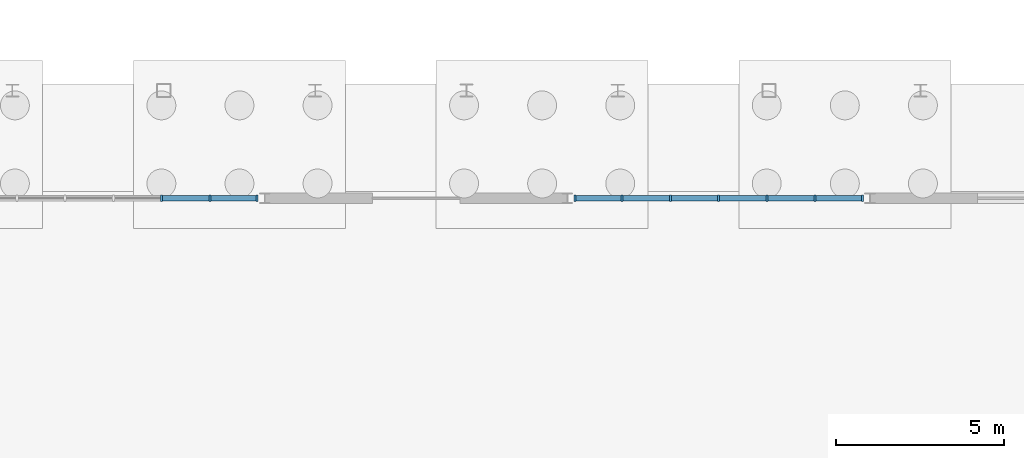
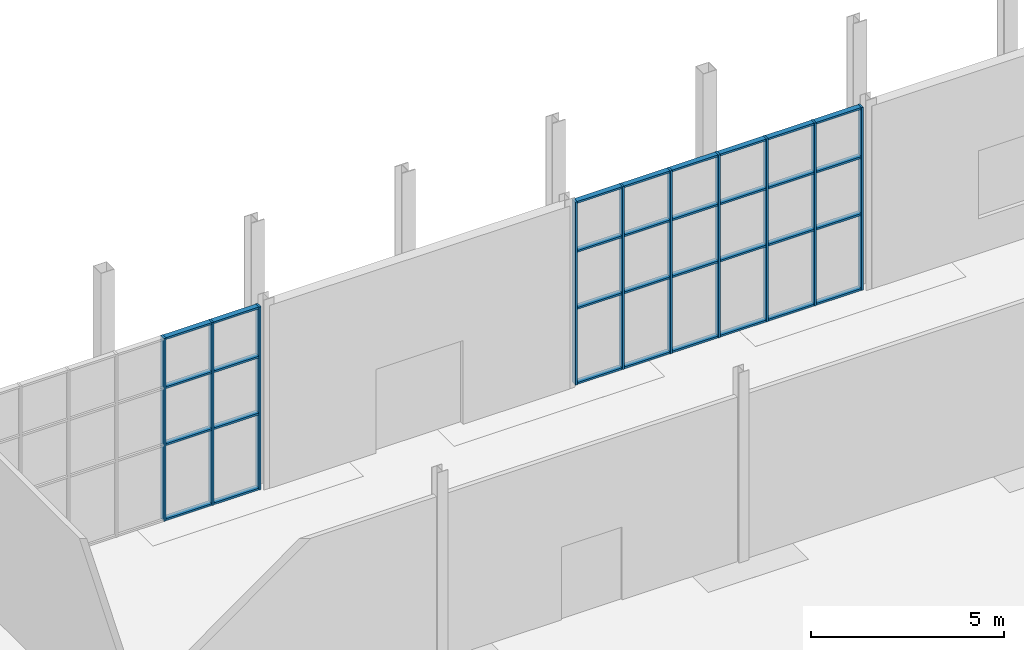
# One storey, part 61 of 131: 42 members, 2 elements without a shape of their own.
"""IFC4 building model written with IfcOpenShell, lengths in metres."""

from ifc_helpers import new_model, si_unit, direction, frame, origin, origin_2d, place, context, subcontext, project, spatial, rectangle, extrude, material, layer, layer_set, material_profile, profile_set, type_object, element, aggregate, save


model = new_model("IFC4")

# Units and contexts
model_context = context("Model", 3, precision=1e-05, world=origin(), true_north=direction((0.0, 1.0)))
body_context = subcontext(model_context, "Body", "Model", "MODEL_VIEW")
ifc_project = project(units=[si_unit("LENGTHUNIT", "METRE"), si_unit("AREAUNIT", "SQUARE_METRE"), si_unit("VOLUMEUNIT", "CUBIC_METRE"), si_unit("PLANEANGLEUNIT", "RADIAN"), si_unit("MASSUNIT", "GRAM", prefix="KILO")], contexts=[model_context])

# Site, building, storey
site_placement = place(None, origin())
site = spatial("IfcSite", under=ifc_project, at=site_placement, CompositionType="ELEMENT")
building_placement = place(site_placement, origin())
building = spatial("IfcBuilding", under=site, at=building_placement, Name="Cazmaro Siding Exhibition Halls", CompositionType="ELEMENT")
storey_placement = place(building_placement, origin())
storey = spatial("IfcBuildingStorey", under=building, at=storey_placement, Name="L00", CompositionType="ELEMENT", Elevation=0.0)

# Curtain wall, members
ifc_material_1 = material(Name="Anodized Bronze Aluminum and Solar-Control Low-E Glazing", Category="aluminium")
ifc_layer = layer(ifc_material_1, 0.179931640625)
ifc_layer_set = layer_set([ifc_layer], Name="Anodized Bronze Aluminum and Solar-Control Low-E Glazing")
curtain_wall_type = type_object("IfcCurtainWallType", Name="CWS-01", PredefinedType="USERDEFINED", material=ifc_layer_set)
curtain_wall_1_placement = place(storey_placement, origin())
curtain_wall_1 = element("IfcCurtainWall", 1, at=curtain_wall_1_placement, inside=storey, type_object=curtain_wall_type, Name="Glazed Curtain Wall CWS-01 CW-022", ObjectType="GLAZED CURTAIN WALL", PredefinedType="USERDEFINED")
ifc_material_2 = material(Name="Anodized Bronze Extruded Aluminum", Category="aluminium")
ifc_material_profile_1 = material_profile(ifc_material_2, rectangle(XDim=0.179931640625, YDim=0.06005859375, at=origin_2d()), Name="CWM-01")
ifc_profile_set_1 = profile_set([ifc_material_profile_1], Name="Anodized Bronze Extruded Aluminum")
member_type_1 = type_object("IfcMemberType", Name="CWM-01", PredefinedType="MULLION", material=ifc_profile_set_1)
member_1_placement = place(storey_placement, frame((101.77294921875, 120.800048828125, 0.0), z_axis=(0.0, 0.0, 1.0), x_axis=(0.0, -1.0, 0.0)))
member_1 = element("IfcMember", 2, at=member_1_placement, type_object=member_type_1, Name="CWS-01 mullion 1", PredefinedType="MULLION", context=body_context, shape_type="SweptSolid", body=[
    extrude(rectangle(XDim=0.179931640625, YDim=0.06005859375, at=origin_2d()), origin(), (0.0, 0.0, 1.0), 5.780029296875),
])
member_2_placement = place(storey_placement, frame((100.36865234375, 120.800048828125, 0.0), z_axis=(0.0, 0.0, 1.0), x_axis=(0.0, -1.0, 0.0)))
member_2 = element("IfcMember", 3, at=member_2_placement, type_object=member_type_1, Name="CWS-01 mullion 2", PredefinedType="MULLION", context=body_context, shape_type="SweptSolid", body=[
    extrude(rectangle(XDim=0.179931640625, YDim=0.06005859375, at=origin_2d()), origin(), (0.0, 0.0, 1.0), 5.780029296875),
])
member_3_placement = place(storey_placement, frame((98.934326171875, 120.800048828125, 0.0), z_axis=(0.0, 0.0, 1.0), x_axis=(0.0, -1.0, 0.0)))
member_3 = element("IfcMember", 4, at=member_3_placement, type_object=member_type_1, Name="CWS-01 mullion 3", PredefinedType="MULLION", context=body_context, shape_type="SweptSolid", body=[
    extrude(rectangle(XDim=0.179931640625, YDim=0.06005859375, at=origin_2d()), origin(), (0.0, 0.0, 1.0), 5.780029296875),
])

curtain_wall_2_placement = place(storey_placement, origin())
curtain_wall_2 = element("IfcCurtainWall", 5, at=curtain_wall_2_placement, inside=storey, type_object=curtain_wall_type, Name="Glazed Curtain Wall CWS-01 CW-030", ObjectType="GLAZED CURTAIN WALL", PredefinedType="USERDEFINED")
member_4_placement = place(storey_placement, frame((119.77294921875, 120.800048828125, 0.0), z_axis=(0.0, 0.0, 1.0), x_axis=(0.0, -1.0, 0.0)))
member_4 = element("IfcMember", 6, at=member_4_placement, type_object=member_type_1, Name="CWS-01 mullion 1", PredefinedType="MULLION", context=body_context, shape_type="SweptSolid", body=[
    extrude(rectangle(XDim=0.179931640625, YDim=0.06005859375, at=origin_2d()), origin(), (0.0, 0.0, 1.0), 5.780029296875),
])
member_5_placement = place(storey_placement, frame((118.36865234375, 120.800048828125, 0.0), z_axis=(0.0, 0.0, 1.0), x_axis=(0.0, -1.0, 0.0)))
member_5 = element("IfcMember", 7, at=member_5_placement, type_object=member_type_1, Name="CWS-01 mullion 2", PredefinedType="MULLION", context=body_context, shape_type="SweptSolid", body=[
    extrude(rectangle(XDim=0.179931640625, YDim=0.06005859375, at=origin_2d()), origin(), (0.0, 0.0, 1.0), 5.780029296875),
])
member_6_placement = place(storey_placement, frame((116.934326171875, 120.800048828125, 0.0), z_axis=(0.0, 0.0, 1.0), x_axis=(0.0, -1.0, 0.0)))
member_6 = element("IfcMember", 8, at=member_6_placement, type_object=member_type_1, Name="CWS-01 mullion 3", PredefinedType="MULLION", context=body_context, shape_type="SweptSolid", body=[
    extrude(rectangle(XDim=0.179931640625, YDim=0.06005859375, at=origin_2d()), origin(), (0.0, 0.0, 1.0), 5.780029296875),
])
member_7_placement = place(storey_placement, frame((115.5, 120.800048828125, 0.0), z_axis=(0.0, 0.0, 1.0), x_axis=(0.0, -1.0, 0.0)))
member_7 = element("IfcMember", 9, at=member_7_placement, type_object=member_type_1, Name="CWS-01 mullion 4", PredefinedType="MULLION", context=body_context, shape_type="SweptSolid", body=[
    extrude(rectangle(XDim=0.179931640625, YDim=0.06005859375, at=origin_2d()), origin(), (0.0, 0.0, 1.0), 5.780029296875),
])
member_8_placement = place(storey_placement, frame((114.065673828125, 120.800048828125, 0.0), z_axis=(0.0, 0.0, 1.0), x_axis=(0.0, -1.0, 0.0)))
member_8 = element("IfcMember", 10, at=member_8_placement, type_object=member_type_1, Name="CWS-01 mullion 5", PredefinedType="MULLION", context=body_context, shape_type="SweptSolid", body=[
    extrude(rectangle(XDim=0.179931640625, YDim=0.06005859375, at=origin_2d()), origin(), (0.0, 0.0, 1.0), 5.780029296875),
])
member_9_placement = place(storey_placement, frame((112.63134765625, 120.800048828125, 0.0), z_axis=(0.0, 0.0, 1.0), x_axis=(0.0, -1.0, 0.0)))
member_9 = element("IfcMember", 11, at=member_9_placement, type_object=member_type_1, Name="CWS-01 mullion 6", PredefinedType="MULLION", context=body_context, shape_type="SweptSolid", body=[
    extrude(rectangle(XDim=0.179931640625, YDim=0.06005859375, at=origin_2d()), origin(), (0.0, 0.0, 1.0), 5.780029296875),
])
member_10_placement = place(storey_placement, frame((111.22705078125, 120.800048828125, 0.0), z_axis=(0.0, 0.0, 1.0), x_axis=(0.0, -1.0, 0.0)))
member_10 = element("IfcMember", 12, at=member_10_placement, type_object=member_type_1, Name="CWS-01 mullion 7", PredefinedType="MULLION", context=body_context, shape_type="SweptSolid", body=[
    extrude(rectangle(XDim=0.179931640625, YDim=0.06005859375, at=origin_2d()), origin(), (0.0, 0.0, 1.0), 5.780029296875),
])

# Member
ifc_material_3 = material(Name="Anodized Bronze Extruded Aluminum", Category="aluminium")
ifc_material_profile_2 = material_profile(ifc_material_3, rectangle(XDim=0.159912109375, YDim=0.06005859375, at=origin_2d()), Name="CWT-01")
ifc_profile_set_2 = profile_set([ifc_material_profile_2], Name="Anodized Bronze Extruded Aluminum")
member_type_2 = type_object("IfcMemberType", Name="CWT-01", PredefinedType="MULLION", material=ifc_profile_set_2)
member_11_placement = place(storey_placement, frame((101.742919921875, 120.800048828125, 0.030029296875), z_axis=(-1.0, 0.0, 0.0), x_axis=(0.0, -1.0, 0.0)))
member_11 = element("IfcMember", 13, at=member_11_placement, type_object=member_type_2, Name="CWS-01 transom 1.1", ObjectType="TRANSOM", PredefinedType="USERDEFINED", context=body_context, shape_type="SweptSolid", body=[
    extrude(rectangle(XDim=0.159912109375, YDim=0.06005859375, at=origin_2d()), origin(), (0.0, 0.0, 1.0), 1.34423828125),
])

member_12_placement = place(storey_placement, frame((101.742919921875, 120.800048828125, 2.39990234375), z_axis=(-1.0, 0.0, 0.0), x_axis=(0.0, -1.0, 0.0)))
member_12 = element("IfcMember", 14, at=member_12_placement, type_object=member_type_2, Name="CWS-01 transom 1.2", ObjectType="TRANSOM", PredefinedType="USERDEFINED", context=body_context, shape_type="SweptSolid", body=[
    extrude(rectangle(XDim=0.159912109375, YDim=0.06005859375, at=origin_2d()), origin(), (0.0, 0.0, 1.0), 1.34423828125),
])

member_13_placement = place(storey_placement, frame((101.742919921875, 120.800048828125, 4.199951171875), z_axis=(-1.0, 0.0, 0.0), x_axis=(0.0, -1.0, 0.0)))
member_13 = element("IfcMember", 15, at=member_13_placement, type_object=member_type_2, Name="CWS-01 transom 1.3", ObjectType="TRANSOM", PredefinedType="USERDEFINED", context=body_context, shape_type="SweptSolid", body=[
    extrude(rectangle(XDim=0.159912109375, YDim=0.06005859375, at=origin_2d()), origin(), (0.0, 0.0, 1.0), 1.34423828125),
])

member_14_placement = place(storey_placement, frame((101.742919921875, 120.800048828125, 5.75), z_axis=(-1.0, 0.0, 0.0), x_axis=(0.0, -1.0, 0.0)))
member_14 = element("IfcMember", 16, at=member_14_placement, type_object=member_type_2, Name="CWS-01 transom 1.4", ObjectType="TRANSOM", PredefinedType="USERDEFINED", context=body_context, shape_type="SweptSolid", body=[
    extrude(rectangle(XDim=0.159912109375, YDim=0.06005859375, at=origin_2d()), origin(), (0.0, 0.0, 1.0), 1.34423828125),
])

member_15_placement = place(storey_placement, frame((100.338623046875, 120.800048828125, 0.030029296875), z_axis=(-1.0, 0.0, 0.0), x_axis=(0.0, -1.0, 0.0)))
member_15 = element("IfcMember", 17, at=member_15_placement, type_object=member_type_2, Name="CWS-01 transom 2.1", ObjectType="TRANSOM", PredefinedType="USERDEFINED", context=body_context, shape_type="SweptSolid", body=[
    extrude(rectangle(XDim=0.159912109375, YDim=0.06005859375, at=origin_2d()), origin(), (0.0, 0.0, 1.0), 1.374267578125),
])

member_16_placement = place(storey_placement, frame((100.338623046875, 120.800048828125, 2.39990234375), z_axis=(-1.0, 0.0, 0.0), x_axis=(0.0, -1.0, 0.0)))
member_16 = element("IfcMember", 18, at=member_16_placement, type_object=member_type_2, Name="CWS-01 transom 2.2", ObjectType="TRANSOM", PredefinedType="USERDEFINED", context=body_context, shape_type="SweptSolid", body=[
    extrude(rectangle(XDim=0.159912109375, YDim=0.06005859375, at=origin_2d()), origin(), (0.0, 0.0, 1.0), 1.374267578125),
])

member_17_placement = place(storey_placement, frame((100.338623046875, 120.800048828125, 4.199951171875), z_axis=(-1.0, 0.0, 0.0), x_axis=(0.0, -1.0, 0.0)))
member_17 = element("IfcMember", 19, at=member_17_placement, type_object=member_type_2, Name="CWS-01 transom 2.3", ObjectType="TRANSOM", PredefinedType="USERDEFINED", context=body_context, shape_type="SweptSolid", body=[
    extrude(rectangle(XDim=0.159912109375, YDim=0.06005859375, at=origin_2d()), origin(), (0.0, 0.0, 1.0), 1.374267578125),
])

member_18_placement = place(storey_placement, frame((100.338623046875, 120.800048828125, 5.75), z_axis=(-1.0, 0.0, 0.0), x_axis=(0.0, -1.0, 0.0)))
member_18 = element("IfcMember", 20, at=member_18_placement, type_object=member_type_2, Name="CWS-01 transom 2.4", ObjectType="TRANSOM", PredefinedType="USERDEFINED", context=body_context, shape_type="SweptSolid", body=[
    extrude(rectangle(XDim=0.159912109375, YDim=0.06005859375, at=origin_2d()), origin(), (0.0, 0.0, 1.0), 1.374267578125),
])

aggregate(curtain_wall_1, [member_1, member_2, member_3, member_11, member_12, member_13, member_14, member_15, member_16, member_17, member_18])

member_19_placement = place(storey_placement, frame((119.742919921875, 120.800048828125, 0.030029296875), z_axis=(-1.0, 0.0, 0.0), x_axis=(0.0, -1.0, 0.0)))
member_19 = element("IfcMember", 21, at=member_19_placement, type_object=member_type_2, Name="CWS-01 transom 1.1", ObjectType="TRANSOM", PredefinedType="USERDEFINED", context=body_context, shape_type="SweptSolid", body=[
    extrude(rectangle(XDim=0.159912109375, YDim=0.06005859375, at=origin_2d()), origin(), (0.0, 0.0, 1.0), 1.34423828125),
])

member_20_placement = place(storey_placement, frame((119.742919921875, 120.800048828125, 2.39990234375), z_axis=(-1.0, 0.0, 0.0), x_axis=(0.0, -1.0, 0.0)))
member_20 = element("IfcMember", 22, at=member_20_placement, type_object=member_type_2, Name="CWS-01 transom 1.2", ObjectType="TRANSOM", PredefinedType="USERDEFINED", context=body_context, shape_type="SweptSolid", body=[
    extrude(rectangle(XDim=0.159912109375, YDim=0.06005859375, at=origin_2d()), origin(), (0.0, 0.0, 1.0), 1.34423828125),
])

member_21_placement = place(storey_placement, frame((119.742919921875, 120.800048828125, 4.199951171875), z_axis=(-1.0, 0.0, 0.0), x_axis=(0.0, -1.0, 0.0)))
member_21 = element("IfcMember", 23, at=member_21_placement, type_object=member_type_2, Name="CWS-01 transom 1.3", ObjectType="TRANSOM", PredefinedType="USERDEFINED", context=body_context, shape_type="SweptSolid", body=[
    extrude(rectangle(XDim=0.159912109375, YDim=0.06005859375, at=origin_2d()), origin(), (0.0, 0.0, 1.0), 1.34423828125),
])

member_22_placement = place(storey_placement, frame((119.742919921875, 120.800048828125, 5.75), z_axis=(-1.0, 0.0, 0.0), x_axis=(0.0, -1.0, 0.0)))
member_22 = element("IfcMember", 24, at=member_22_placement, type_object=member_type_2, Name="CWS-01 transom 1.4", ObjectType="TRANSOM", PredefinedType="USERDEFINED", context=body_context, shape_type="SweptSolid", body=[
    extrude(rectangle(XDim=0.159912109375, YDim=0.06005859375, at=origin_2d()), origin(), (0.0, 0.0, 1.0), 1.34423828125),
])

member_23_placement = place(storey_placement, frame((118.338623046875, 120.800048828125, 0.030029296875), z_axis=(-1.0, 0.0, 0.0), x_axis=(0.0, -1.0, 0.0)))
member_23 = element("IfcMember", 25, at=member_23_placement, type_object=member_type_2, Name="CWS-01 transom 2.1", ObjectType="TRANSOM", PredefinedType="USERDEFINED", context=body_context, shape_type="SweptSolid", body=[
    extrude(rectangle(XDim=0.159912109375, YDim=0.06005859375, at=origin_2d()), origin(), (0.0, 0.0, 1.0), 1.374267578125),
])

member_24_placement = place(storey_placement, frame((118.338623046875, 120.800048828125, 2.39990234375), z_axis=(-1.0, 0.0, 0.0), x_axis=(0.0, -1.0, 0.0)))
member_24 = element("IfcMember", 26, at=member_24_placement, type_object=member_type_2, Name="CWS-01 transom 2.2", ObjectType="TRANSOM", PredefinedType="USERDEFINED", context=body_context, shape_type="SweptSolid", body=[
    extrude(rectangle(XDim=0.159912109375, YDim=0.06005859375, at=origin_2d()), origin(), (0.0, 0.0, 1.0), 1.374267578125),
])

member_25_placement = place(storey_placement, frame((118.338623046875, 120.800048828125, 4.199951171875), z_axis=(-1.0, 0.0, 0.0), x_axis=(0.0, -1.0, 0.0)))
member_25 = element("IfcMember", 27, at=member_25_placement, type_object=member_type_2, Name="CWS-01 transom 2.3", ObjectType="TRANSOM", PredefinedType="USERDEFINED", context=body_context, shape_type="SweptSolid", body=[
    extrude(rectangle(XDim=0.159912109375, YDim=0.06005859375, at=origin_2d()), origin(), (0.0, 0.0, 1.0), 1.374267578125),
])

member_26_placement = place(storey_placement, frame((118.338623046875, 120.800048828125, 5.75), z_axis=(-1.0, 0.0, 0.0), x_axis=(0.0, -1.0, 0.0)))
member_26 = element("IfcMember", 28, at=member_26_placement, type_object=member_type_2, Name="CWS-01 transom 2.4", ObjectType="TRANSOM", PredefinedType="USERDEFINED", context=body_context, shape_type="SweptSolid", body=[
    extrude(rectangle(XDim=0.159912109375, YDim=0.06005859375, at=origin_2d()), origin(), (0.0, 0.0, 1.0), 1.374267578125),
])

member_27_placement = place(storey_placement, frame((116.904296875, 120.800048828125, 0.030029296875), z_axis=(-1.0, 0.0, 0.0), x_axis=(0.0, -1.0, 0.0)))
member_27 = element("IfcMember", 29, at=member_27_placement, type_object=member_type_2, Name="CWS-01 transom 3.1", ObjectType="TRANSOM", PredefinedType="USERDEFINED", context=body_context, shape_type="SweptSolid", body=[
    extrude(rectangle(XDim=0.159912109375, YDim=0.06005859375, at=origin_2d()), origin(), (0.0, 0.0, 1.0), 1.374267578125),
])

member_28_placement = place(storey_placement, frame((116.904296875, 120.800048828125, 2.39990234375), z_axis=(-1.0, 0.0, 0.0), x_axis=(0.0, -1.0, 0.0)))
member_28 = element("IfcMember", 30, at=member_28_placement, type_object=member_type_2, Name="CWS-01 transom 3.2", ObjectType="TRANSOM", PredefinedType="USERDEFINED", context=body_context, shape_type="SweptSolid", body=[
    extrude(rectangle(XDim=0.159912109375, YDim=0.06005859375, at=origin_2d()), origin(), (0.0, 0.0, 1.0), 1.374267578125),
])

member_29_placement = place(storey_placement, frame((116.904296875, 120.800048828125, 4.199951171875), z_axis=(-1.0, 0.0, 0.0), x_axis=(0.0, -1.0, 0.0)))
member_29 = element("IfcMember", 31, at=member_29_placement, type_object=member_type_2, Name="CWS-01 transom 3.3", ObjectType="TRANSOM", PredefinedType="USERDEFINED", context=body_context, shape_type="SweptSolid", body=[
    extrude(rectangle(XDim=0.159912109375, YDim=0.06005859375, at=origin_2d()), origin(), (0.0, 0.0, 1.0), 1.374267578125),
])

member_30_placement = place(storey_placement, frame((116.904296875, 120.800048828125, 5.75), z_axis=(-1.0, 0.0, 0.0), x_axis=(0.0, -1.0, 0.0)))
member_30 = element("IfcMember", 32, at=member_30_placement, type_object=member_type_2, Name="CWS-01 transom 3.4", ObjectType="TRANSOM", PredefinedType="USERDEFINED", context=body_context, shape_type="SweptSolid", body=[
    extrude(rectangle(XDim=0.159912109375, YDim=0.06005859375, at=origin_2d()), origin(), (0.0, 0.0, 1.0), 1.374267578125),
])

member_31_placement = place(storey_placement, frame((115.469970703125, 120.800048828125, 0.030029296875), z_axis=(-1.0, 0.0, 0.0), x_axis=(0.0, -1.0, 0.0)))
member_31 = element("IfcMember", 33, at=member_31_placement, type_object=member_type_2, Name="CWS-01 transom 4.1", ObjectType="TRANSOM", PredefinedType="USERDEFINED", context=body_context, shape_type="SweptSolid", body=[
    extrude(rectangle(XDim=0.159912109375, YDim=0.06005859375, at=origin_2d()), origin(), (0.0, 0.0, 1.0), 1.374267578125),
])

member_32_placement = place(storey_placement, frame((115.469970703125, 120.800048828125, 2.39990234375), z_axis=(-1.0, 0.0, 0.0), x_axis=(0.0, -1.0, 0.0)))
member_32 = element("IfcMember", 34, at=member_32_placement, type_object=member_type_2, Name="CWS-01 transom 4.2", ObjectType="TRANSOM", PredefinedType="USERDEFINED", context=body_context, shape_type="SweptSolid", body=[
    extrude(rectangle(XDim=0.159912109375, YDim=0.06005859375, at=origin_2d()), origin(), (0.0, 0.0, 1.0), 1.374267578125),
])

member_33_placement = place(storey_placement, frame((115.469970703125, 120.800048828125, 4.199951171875), z_axis=(-1.0, 0.0, 0.0), x_axis=(0.0, -1.0, 0.0)))
member_33 = element("IfcMember", 35, at=member_33_placement, type_object=member_type_2, Name="CWS-01 transom 4.3", ObjectType="TRANSOM", PredefinedType="USERDEFINED", context=body_context, shape_type="SweptSolid", body=[
    extrude(rectangle(XDim=0.159912109375, YDim=0.06005859375, at=origin_2d()), origin(), (0.0, 0.0, 1.0), 1.374267578125),
])

member_34_placement = place(storey_placement, frame((115.469970703125, 120.800048828125, 5.75), z_axis=(-1.0, 0.0, 0.0), x_axis=(0.0, -1.0, 0.0)))
member_34 = element("IfcMember", 36, at=member_34_placement, type_object=member_type_2, Name="CWS-01 transom 4.4", ObjectType="TRANSOM", PredefinedType="USERDEFINED", context=body_context, shape_type="SweptSolid", body=[
    extrude(rectangle(XDim=0.159912109375, YDim=0.06005859375, at=origin_2d()), origin(), (0.0, 0.0, 1.0), 1.374267578125),
])

member_35_placement = place(storey_placement, frame((114.03564453125, 120.800048828125, 0.030029296875), z_axis=(-1.0, 0.0, 0.0), x_axis=(0.0, -1.0, 0.0)))
member_35 = element("IfcMember", 37, at=member_35_placement, type_object=member_type_2, Name="CWS-01 transom 5.1", ObjectType="TRANSOM", PredefinedType="USERDEFINED", context=body_context, shape_type="SweptSolid", body=[
    extrude(rectangle(XDim=0.159912109375, YDim=0.06005859375, at=origin_2d()), origin(), (0.0, 0.0, 1.0), 1.374267578125),
])

member_36_placement = place(storey_placement, frame((114.03564453125, 120.800048828125, 2.39990234375), z_axis=(-1.0, 0.0, 0.0), x_axis=(0.0, -1.0, 0.0)))
member_36 = element("IfcMember", 38, at=member_36_placement, type_object=member_type_2, Name="CWS-01 transom 5.2", ObjectType="TRANSOM", PredefinedType="USERDEFINED", context=body_context, shape_type="SweptSolid", body=[
    extrude(rectangle(XDim=0.159912109375, YDim=0.06005859375, at=origin_2d()), origin(), (0.0, 0.0, 1.0), 1.374267578125),
])

member_37_placement = place(storey_placement, frame((114.03564453125, 120.800048828125, 4.199951171875), z_axis=(-1.0, 0.0, 0.0), x_axis=(0.0, -1.0, 0.0)))
member_37 = element("IfcMember", 39, at=member_37_placement, type_object=member_type_2, Name="CWS-01 transom 5.3", ObjectType="TRANSOM", PredefinedType="USERDEFINED", context=body_context, shape_type="SweptSolid", body=[
    extrude(rectangle(XDim=0.159912109375, YDim=0.06005859375, at=origin_2d()), origin(), (0.0, 0.0, 1.0), 1.374267578125),
])

member_38_placement = place(storey_placement, frame((114.03564453125, 120.800048828125, 5.75), z_axis=(-1.0, 0.0, 0.0), x_axis=(0.0, -1.0, 0.0)))
member_38 = element("IfcMember", 40, at=member_38_placement, type_object=member_type_2, Name="CWS-01 transom 5.4", ObjectType="TRANSOM", PredefinedType="USERDEFINED", context=body_context, shape_type="SweptSolid", body=[
    extrude(rectangle(XDim=0.159912109375, YDim=0.06005859375, at=origin_2d()), origin(), (0.0, 0.0, 1.0), 1.374267578125),
])

member_39_placement = place(storey_placement, frame((112.601318359375, 120.800048828125, 0.030029296875), z_axis=(-1.0, 0.0, 0.0), x_axis=(0.0, -1.0, 0.0)))
member_39 = element("IfcMember", 41, at=member_39_placement, type_object=member_type_2, Name="CWS-01 transom 6.1", ObjectType="TRANSOM", PredefinedType="USERDEFINED", context=body_context, shape_type="SweptSolid", body=[
    extrude(rectangle(XDim=0.159912109375, YDim=0.06005859375, at=origin_2d()), origin(), (0.0, 0.0, 1.0), 1.34423828125),
])

member_40_placement = place(storey_placement, frame((112.601318359375, 120.800048828125, 2.39990234375), z_axis=(-1.0, 0.0, 0.0), x_axis=(0.0, -1.0, 0.0)))
member_40 = element("IfcMember", 42, at=member_40_placement, type_object=member_type_2, Name="CWS-01 transom 6.2", ObjectType="TRANSOM", PredefinedType="USERDEFINED", context=body_context, shape_type="SweptSolid", body=[
    extrude(rectangle(XDim=0.159912109375, YDim=0.06005859375, at=origin_2d()), origin(), (0.0, 0.0, 1.0), 1.34423828125),
])

member_41_placement = place(storey_placement, frame((112.601318359375, 120.800048828125, 4.199951171875), z_axis=(-1.0, 0.0, 0.0), x_axis=(0.0, -1.0, 0.0)))
member_41 = element("IfcMember", 43, at=member_41_placement, type_object=member_type_2, Name="CWS-01 transom 6.3", ObjectType="TRANSOM", PredefinedType="USERDEFINED", context=body_context, shape_type="SweptSolid", body=[
    extrude(rectangle(XDim=0.159912109375, YDim=0.06005859375, at=origin_2d()), origin(), (0.0, 0.0, 1.0), 1.34423828125),
])

member_42_placement = place(storey_placement, frame((112.601318359375, 120.800048828125, 5.75), z_axis=(-1.0, 0.0, 0.0), x_axis=(0.0, -1.0, 0.0)))
member_42 = element("IfcMember", 44, at=member_42_placement, type_object=member_type_2, Name="CWS-01 transom 6.4", ObjectType="TRANSOM", PredefinedType="USERDEFINED", context=body_context, shape_type="SweptSolid", body=[
    extrude(rectangle(XDim=0.159912109375, YDim=0.06005859375, at=origin_2d()), origin(), (0.0, 0.0, 1.0), 1.34423828125),
])

aggregate(curtain_wall_2, [member_4, member_5, member_6, member_7, member_8, member_9, member_10, member_19, member_20, member_21, member_22, member_23, member_24, member_25, member_26, member_27, member_28, member_29, member_30, member_31, member_32, member_33, member_34, member_35, member_36, member_37, member_38, member_39, member_40, member_41, member_42])

save(model, "model.ifc")
